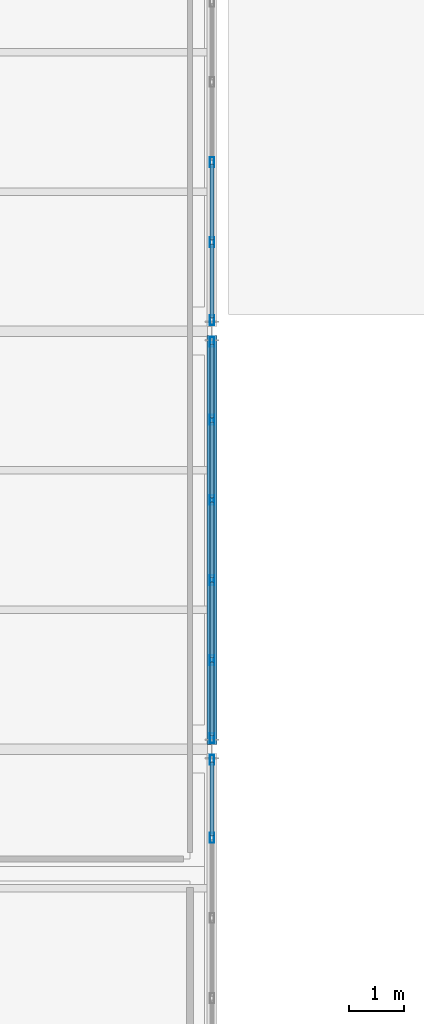
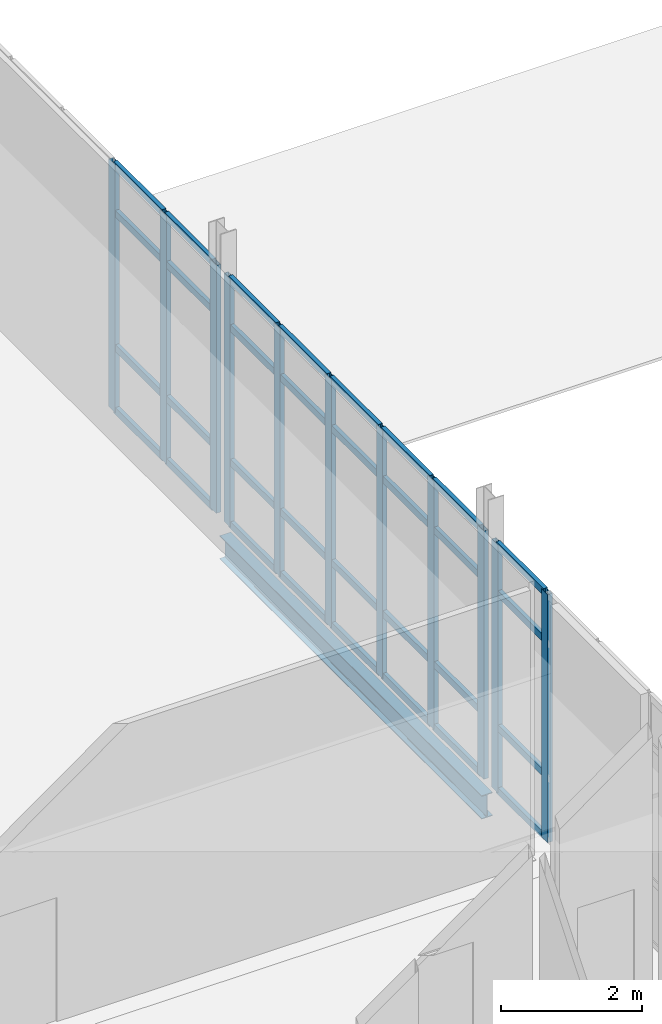
# One storey, part 73 of 161: 43 members, 1 beam, 3 elements without a shape of their own.
"""IFC4 building model written with IfcOpenShell, lengths in metres."""

from ifc_helpers import new_model, si_unit, direction, frame, origin, origin_2d, place, context, subcontext, project, spatial, hollow_rectangle, i_section, extrude, material, material_profile, profile_set, type_object, element, aggregate, save


model = new_model("IFC4")

# Units and contexts
model_context = context("Model", 3, precision=1e-05, world=origin(), true_north=direction((0.0, 1.0)))
body_context = subcontext(model_context, "Body", "Model", "MODEL_VIEW")
ifc_project = project(units=[si_unit("LENGTHUNIT", "METRE"), si_unit("AREAUNIT", "SQUARE_METRE"), si_unit("VOLUMEUNIT", "CUBIC_METRE"), si_unit("PLANEANGLEUNIT", "RADIAN"), si_unit("MASSUNIT", "GRAM", prefix="KILO")], contexts=[model_context])

# Site, building, storey
site_placement = place(None, origin())
site = spatial("IfcSite", under=ifc_project, at=site_placement, CompositionType="ELEMENT")
building_placement = place(site_placement, origin())
building = spatial("IfcBuilding", under=site, at=building_placement, Name="Caisbarro Railhouse Central Library", CompositionType="ELEMENT")
storey_placement = place(building_placement, origin())
storey = spatial("IfcBuildingStorey", under=building, at=storey_placement, Name="L00", CompositionType="ELEMENT", Elevation=0.0)

# Beam
ifc_material_1 = material(Name="Steel ASTM A572 Grade 50", Category="steel")
ifc_material_profile_1 = material_profile(ifc_material_1, i_section(OverallWidth=0.177978515625, OverallDepth=0.406982421875, WebThickness=0.0078125, FlangeThickness=0.0126953125, FilletRadius=0.01611328125, at=origin_2d()), Name="W410X60.0")
ifc_profile_set_1 = profile_set([ifc_material_profile_1], Name="Steel ASTM A572 Grade 50")
beam_type = type_object("IfcBeamType", Name="BM-G10", PredefinedType="BEAM", material=ifc_profile_set_1)
beam_placement = place(storey_placement, frame((36.0, 98.8798828125, -0.45361328125), z_axis=(0.0, 1.0, 0.0), x_axis=(-1.0, 0.0, 0.0)))
element("IfcBeam", 1, at=beam_placement, inside=storey, type_object=beam_type, Name="G10 beam L00 #419", PredefinedType="BEAM", context=body_context, shape_type="SweptSolid", body=[
    extrude(i_section(OverallWidth=0.177978515625, OverallDepth=0.406982421875, WebThickness=0.0078125, FlangeThickness=0.0126953125, FilletRadius=0.01611328125, at=origin_2d()), origin(), (0.0, 0.0, 1.0), 7.440185546875),
])

# Curtain wall, members
ifc_material_2 = material(Name="Anodised architectural aluminium", Category="aluminium")
curtain_wall_type = type_object("IfcCurtainWallType", Name="CW-CW02", PredefinedType="NOTDEFINED", material=ifc_material_2)
curtain_wall_1_placement = place(storey_placement, origin())
curtain_wall_1 = element("IfcCurtainWall", 2, at=curtain_wall_1_placement, inside=storey, type_object=curtain_wall_type, Name="CW02 curtain wall L00 #77", PredefinedType="NOTDEFINED")
ifc_material_profile_2 = material_profile(ifc_material_2, hollow_rectangle(XDim=0.074951171875, YDim=0.179931640625, WallThickness=0.00439453125, at=origin_2d()), Name="ALU-MUL-75X180")
ifc_profile_set_2 = profile_set([ifc_material_profile_2], Name="Anodised architectural aluminium")
member_type_1 = type_object("IfcMemberType", Name="CWM-M01", PredefinedType="MULLION", material=ifc_profile_set_2)
member_1_placement = place(storey_placement, frame((36.0, 97.18408203125, 0.0), z_axis=(0.0, 0.0, 1.0), x_axis=(-1.0, 0.0, 0.0)))
member_1 = element("IfcMember", 3, at=member_1_placement, type_object=member_type_1, Name="CW02 mullion 5", PredefinedType="MULLION", context=body_context, shape_type="SweptSolid", body=[
    extrude(hollow_rectangle(XDim=0.074951171875, YDim=0.179931640625, WallThickness=0.00439453125, at=origin_2d()), origin(), (0.0, 0.0, 1.0), 4.300048828125),
])
member_2_placement = place(storey_placement, frame((36.0, 98.6025390625, 0.0), z_axis=(0.0, 0.0, 1.0), x_axis=(-1.0, 0.0, 0.0)))
member_2 = element("IfcMember", 4, at=member_2_placement, type_object=member_type_1, Name="CW02 mullion 6", PredefinedType="MULLION", context=body_context, shape_type="SweptSolid", body=[
    extrude(hollow_rectangle(XDim=0.074951171875, YDim=0.179931640625, WallThickness=0.00439453125, at=origin_2d()), origin(), (0.0, 0.0, 1.0), 4.300048828125),
])

curtain_wall_2_placement = place(storey_placement, origin())
curtain_wall_2 = element("IfcCurtainWall", 5, at=curtain_wall_2_placement, inside=storey, type_object=curtain_wall_type, Name="CW02 curtain wall L00 #78", PredefinedType="NOTDEFINED")
member_3_placement = place(storey_placement, frame((36.0, 98.99755859375, 0.0), z_axis=(0.0, 0.0, 1.0), x_axis=(-1.0, 0.0, 0.0)))
member_3 = element("IfcMember", 6, at=member_3_placement, type_object=member_type_1, Name="CW02 mullion 1", PredefinedType="MULLION", context=body_context, shape_type="SweptSolid", body=[
    extrude(hollow_rectangle(XDim=0.074951171875, YDim=0.179931640625, WallThickness=0.00439453125, at=origin_2d()), origin(), (0.0, 0.0, 1.0), 4.300048828125),
])
member_4_placement = place(storey_placement, frame((36.0, 100.416015625, 0.0), z_axis=(0.0, 0.0, 1.0), x_axis=(-1.0, 0.0, 0.0)))
member_4 = element("IfcMember", 7, at=member_4_placement, type_object=member_type_1, Name="CW02 mullion 2", PredefinedType="MULLION", context=body_context, shape_type="SweptSolid", body=[
    extrude(hollow_rectangle(XDim=0.074951171875, YDim=0.179931640625, WallThickness=0.00439453125, at=origin_2d()), origin(), (0.0, 0.0, 1.0), 4.300048828125),
])
member_5_placement = place(storey_placement, frame((36.0, 101.8720703125, 0.0), z_axis=(0.0, 0.0, 1.0), x_axis=(-1.0, 0.0, 0.0)))
member_5 = element("IfcMember", 8, at=member_5_placement, type_object=member_type_1, Name="CW02 mullion 3", PredefinedType="MULLION", context=body_context, shape_type="SweptSolid", body=[
    extrude(hollow_rectangle(XDim=0.074951171875, YDim=0.179931640625, WallThickness=0.00439453125, at=origin_2d()), origin(), (0.0, 0.0, 1.0), 4.300048828125),
])
member_6_placement = place(storey_placement, frame((36.0, 103.327880859375, 0.0), z_axis=(0.0, 0.0, 1.0), x_axis=(-1.0, 0.0, 0.0)))
member_6 = element("IfcMember", 9, at=member_6_placement, type_object=member_type_1, Name="CW02 mullion 4", PredefinedType="MULLION", context=body_context, shape_type="SweptSolid", body=[
    extrude(hollow_rectangle(XDim=0.074951171875, YDim=0.179931640625, WallThickness=0.00439453125, at=origin_2d()), origin(), (0.0, 0.0, 1.0), 4.300048828125),
])
member_7_placement = place(storey_placement, frame((36.0, 104.783935546875, 0.0), z_axis=(0.0, 0.0, 1.0), x_axis=(-1.0, 0.0, 0.0)))
member_7 = element("IfcMember", 10, at=member_7_placement, type_object=member_type_1, Name="CW02 mullion 5", PredefinedType="MULLION", context=body_context, shape_type="SweptSolid", body=[
    extrude(hollow_rectangle(XDim=0.074951171875, YDim=0.179931640625, WallThickness=0.00439453125, at=origin_2d()), origin(), (0.0, 0.0, 1.0), 4.300048828125),
])
member_8_placement = place(storey_placement, frame((36.0, 106.202392578125, 0.0), z_axis=(0.0, 0.0, 1.0), x_axis=(-1.0, 0.0, 0.0)))
member_8 = element("IfcMember", 11, at=member_8_placement, type_object=member_type_1, Name="CW02 mullion 6", PredefinedType="MULLION", context=body_context, shape_type="SweptSolid", body=[
    extrude(hollow_rectangle(XDim=0.074951171875, YDim=0.179931640625, WallThickness=0.00439453125, at=origin_2d()), origin(), (0.0, 0.0, 1.0), 4.300048828125),
])

curtain_wall_3_placement = place(storey_placement, origin())
curtain_wall_3 = element("IfcCurtainWall", 12, at=curtain_wall_3_placement, inside=storey, type_object=curtain_wall_type, Name="CW02 curtain wall L00 #79", PredefinedType="NOTDEFINED")
member_9_placement = place(storey_placement, frame((36.0, 106.597412109375, 0.0), z_axis=(0.0, 0.0, 1.0), x_axis=(-1.0, 0.0, 0.0)))
member_9 = element("IfcMember", 13, at=member_9_placement, type_object=member_type_1, Name="CW02 mullion 1", PredefinedType="MULLION", context=body_context, shape_type="SweptSolid", body=[
    extrude(hollow_rectangle(XDim=0.074951171875, YDim=0.179931640625, WallThickness=0.00439453125, at=origin_2d()), origin(), (0.0, 0.0, 1.0), 4.300048828125),
])
member_10_placement = place(storey_placement, frame((36.0, 108.01611328125, 0.0), z_axis=(0.0, 0.0, 1.0), x_axis=(-1.0, 0.0, 0.0)))
member_10 = element("IfcMember", 14, at=member_10_placement, type_object=member_type_1, Name="CW02 mullion 2", PredefinedType="MULLION", context=body_context, shape_type="SweptSolid", body=[
    extrude(hollow_rectangle(XDim=0.074951171875, YDim=0.179931640625, WallThickness=0.00439453125, at=origin_2d()), origin(), (0.0, 0.0, 1.0), 4.300048828125),
])
member_11_placement = place(storey_placement, frame((36.0, 109.471923828125, 0.0), z_axis=(0.0, 0.0, 1.0), x_axis=(-1.0, 0.0, 0.0)))
member_11 = element("IfcMember", 15, at=member_11_placement, type_object=member_type_1, Name="CW02 mullion 3", PredefinedType="MULLION", context=body_context, shape_type="SweptSolid", body=[
    extrude(hollow_rectangle(XDim=0.074951171875, YDim=0.179931640625, WallThickness=0.00439453125, at=origin_2d()), origin(), (0.0, 0.0, 1.0), 4.300048828125),
])

# Member
ifc_material_profile_3 = material_profile(ifc_material_2, hollow_rectangle(XDim=0.06494140625, YDim=0.1201171875, WallThickness=0.00341796875, at=origin_2d()), Name="ALU-TRN-65X120")
ifc_profile_set_3 = profile_set([ifc_material_profile_3], Name="Anodised architectural aluminium")
member_type_2 = type_object("IfcMemberType", Name="CWT-T02", PredefinedType="USERDEFINED", material=ifc_profile_set_3)
member_12_placement = place(storey_placement, frame((36.0, 97.221435546875, 0.032470703125), z_axis=(0.0, 1.0, 0.0), x_axis=(-1.0, 0.0, 0.0)))
member_12 = element("IfcMember", 16, at=member_12_placement, type_object=member_type_2, Name="CW02 transom 5.1", ObjectType="TRANSOM", PredefinedType="USERDEFINED", context=body_context, shape_type="SweptSolid", body=[
    extrude(hollow_rectangle(XDim=0.06494140625, YDim=0.1201171875, WallThickness=0.00341796875, at=origin_2d()), origin(), (0.0, 0.0, 1.0), 1.343505859375),
])

member_13_placement = place(storey_placement, frame((36.0, 97.221435546875, 1.1201171875), z_axis=(0.0, 1.0, 0.0), x_axis=(-1.0, 0.0, 0.0)))
member_13 = element("IfcMember", 17, at=member_13_placement, type_object=member_type_2, Name="CW02 transom 5.2", ObjectType="TRANSOM", PredefinedType="USERDEFINED", context=body_context, shape_type="SweptSolid", body=[
    extrude(hollow_rectangle(XDim=0.06494140625, YDim=0.1201171875, WallThickness=0.00341796875, at=origin_2d()), origin(), (0.0, 0.0, 1.0), 1.343505859375),
])

member_14_placement = place(storey_placement, frame((36.0, 97.221435546875, 3.449951171875), z_axis=(0.0, 1.0, 0.0), x_axis=(-1.0, 0.0, 0.0)))
member_14 = element("IfcMember", 18, at=member_14_placement, type_object=member_type_2, Name="CW02 transom 5.3", ObjectType="TRANSOM", PredefinedType="USERDEFINED", context=body_context, shape_type="SweptSolid", body=[
    extrude(hollow_rectangle(XDim=0.06494140625, YDim=0.1201171875, WallThickness=0.00341796875, at=origin_2d()), origin(), (0.0, 0.0, 1.0), 1.343505859375),
])

member_15_placement = place(storey_placement, frame((36.0, 97.221435546875, 4.267578125), z_axis=(0.0, 1.0, 0.0), x_axis=(-1.0, 0.0, 0.0)))
member_15 = element("IfcMember", 19, at=member_15_placement, type_object=member_type_2, Name="CW02 transom 5.4", ObjectType="TRANSOM", PredefinedType="USERDEFINED", context=body_context, shape_type="SweptSolid", body=[
    extrude(hollow_rectangle(XDim=0.06494140625, YDim=0.1201171875, WallThickness=0.00341796875, at=origin_2d()), origin(), (0.0, 0.0, 1.0), 1.343505859375),
])

aggregate(curtain_wall_1, [member_1, member_2, member_12, member_13, member_14, member_15])

member_16_placement = place(storey_placement, frame((36.0, 99.034912109375, 0.032470703125), z_axis=(0.0, 1.0, 0.0), x_axis=(-1.0, 0.0, 0.0)))
member_16 = element("IfcMember", 20, at=member_16_placement, type_object=member_type_2, Name="CW02 transom 1.1", ObjectType="TRANSOM", PredefinedType="USERDEFINED", context=body_context, shape_type="SweptSolid", body=[
    extrude(hollow_rectangle(XDim=0.06494140625, YDim=0.1201171875, WallThickness=0.00341796875, at=origin_2d()), origin(), (0.0, 0.0, 1.0), 1.343505859375),
])

member_17_placement = place(storey_placement, frame((36.0, 99.034912109375, 1.1201171875), z_axis=(0.0, 1.0, 0.0), x_axis=(-1.0, 0.0, 0.0)))
member_17 = element("IfcMember", 21, at=member_17_placement, type_object=member_type_2, Name="CW02 transom 1.2", ObjectType="TRANSOM", PredefinedType="USERDEFINED", context=body_context, shape_type="SweptSolid", body=[
    extrude(hollow_rectangle(XDim=0.06494140625, YDim=0.1201171875, WallThickness=0.00341796875, at=origin_2d()), origin(), (0.0, 0.0, 1.0), 1.343505859375),
])

member_18_placement = place(storey_placement, frame((36.0, 99.034912109375, 3.449951171875), z_axis=(0.0, 1.0, 0.0), x_axis=(-1.0, 0.0, 0.0)))
member_18 = element("IfcMember", 22, at=member_18_placement, type_object=member_type_2, Name="CW02 transom 1.3", ObjectType="TRANSOM", PredefinedType="USERDEFINED", context=body_context, shape_type="SweptSolid", body=[
    extrude(hollow_rectangle(XDim=0.06494140625, YDim=0.1201171875, WallThickness=0.00341796875, at=origin_2d()), origin(), (0.0, 0.0, 1.0), 1.343505859375),
])

member_19_placement = place(storey_placement, frame((36.0, 99.034912109375, 4.267578125), z_axis=(0.0, 1.0, 0.0), x_axis=(-1.0, 0.0, 0.0)))
member_19 = element("IfcMember", 23, at=member_19_placement, type_object=member_type_2, Name="CW02 transom 1.4", ObjectType="TRANSOM", PredefinedType="USERDEFINED", context=body_context, shape_type="SweptSolid", body=[
    extrude(hollow_rectangle(XDim=0.06494140625, YDim=0.1201171875, WallThickness=0.00341796875, at=origin_2d()), origin(), (0.0, 0.0, 1.0), 1.343505859375),
])

member_20_placement = place(storey_placement, frame((36.0, 100.45361328125, 0.032470703125), z_axis=(0.0, 1.0, 0.0), x_axis=(-1.0, 0.0, 0.0)))
member_20 = element("IfcMember", 24, at=member_20_placement, type_object=member_type_2, Name="CW02 transom 2.1", ObjectType="TRANSOM", PredefinedType="USERDEFINED", context=body_context, shape_type="SweptSolid", body=[
    extrude(hollow_rectangle(XDim=0.06494140625, YDim=0.1201171875, WallThickness=0.00341796875, at=origin_2d()), origin(), (0.0, 0.0, 1.0), 1.380859375),
])

member_21_placement = place(storey_placement, frame((36.0, 100.45361328125, 1.1201171875), z_axis=(0.0, 1.0, 0.0), x_axis=(-1.0, 0.0, 0.0)))
member_21 = element("IfcMember", 25, at=member_21_placement, type_object=member_type_2, Name="CW02 transom 2.2", ObjectType="TRANSOM", PredefinedType="USERDEFINED", context=body_context, shape_type="SweptSolid", body=[
    extrude(hollow_rectangle(XDim=0.06494140625, YDim=0.1201171875, WallThickness=0.00341796875, at=origin_2d()), origin(), (0.0, 0.0, 1.0), 1.380859375),
])

member_22_placement = place(storey_placement, frame((36.0, 100.45361328125, 3.449951171875), z_axis=(0.0, 1.0, 0.0), x_axis=(-1.0, 0.0, 0.0)))
member_22 = element("IfcMember", 26, at=member_22_placement, type_object=member_type_2, Name="CW02 transom 2.3", ObjectType="TRANSOM", PredefinedType="USERDEFINED", context=body_context, shape_type="SweptSolid", body=[
    extrude(hollow_rectangle(XDim=0.06494140625, YDim=0.1201171875, WallThickness=0.00341796875, at=origin_2d()), origin(), (0.0, 0.0, 1.0), 1.380859375),
])

member_23_placement = place(storey_placement, frame((36.0, 100.45361328125, 4.267578125), z_axis=(0.0, 1.0, 0.0), x_axis=(-1.0, 0.0, 0.0)))
member_23 = element("IfcMember", 27, at=member_23_placement, type_object=member_type_2, Name="CW02 transom 2.4", ObjectType="TRANSOM", PredefinedType="USERDEFINED", context=body_context, shape_type="SweptSolid", body=[
    extrude(hollow_rectangle(XDim=0.06494140625, YDim=0.1201171875, WallThickness=0.00341796875, at=origin_2d()), origin(), (0.0, 0.0, 1.0), 1.380859375),
])

member_24_placement = place(storey_placement, frame((36.0, 101.909423828125, 0.032470703125), z_axis=(0.0, 1.0, 0.0), x_axis=(-1.0, 0.0, 0.0)))
member_24 = element("IfcMember", 28, at=member_24_placement, type_object=member_type_2, Name="CW02 transom 3.1", ObjectType="TRANSOM", PredefinedType="USERDEFINED", context=body_context, shape_type="SweptSolid", body=[
    extrude(hollow_rectangle(XDim=0.06494140625, YDim=0.1201171875, WallThickness=0.00341796875, at=origin_2d()), origin(), (0.0, 0.0, 1.0), 1.381103515625),
])

member_25_placement = place(storey_placement, frame((36.0, 101.909423828125, 1.1201171875), z_axis=(0.0, 1.0, 0.0), x_axis=(-1.0, 0.0, 0.0)))
member_25 = element("IfcMember", 29, at=member_25_placement, type_object=member_type_2, Name="CW02 transom 3.2", ObjectType="TRANSOM", PredefinedType="USERDEFINED", context=body_context, shape_type="SweptSolid", body=[
    extrude(hollow_rectangle(XDim=0.06494140625, YDim=0.1201171875, WallThickness=0.00341796875, at=origin_2d()), origin(), (0.0, 0.0, 1.0), 1.381103515625),
])

member_26_placement = place(storey_placement, frame((36.0, 101.909423828125, 3.449951171875), z_axis=(0.0, 1.0, 0.0), x_axis=(-1.0, 0.0, 0.0)))
member_26 = element("IfcMember", 30, at=member_26_placement, type_object=member_type_2, Name="CW02 transom 3.3", ObjectType="TRANSOM", PredefinedType="USERDEFINED", context=body_context, shape_type="SweptSolid", body=[
    extrude(hollow_rectangle(XDim=0.06494140625, YDim=0.1201171875, WallThickness=0.00341796875, at=origin_2d()), origin(), (0.0, 0.0, 1.0), 1.381103515625),
])

member_27_placement = place(storey_placement, frame((36.0, 101.909423828125, 4.267578125), z_axis=(0.0, 1.0, 0.0), x_axis=(-1.0, 0.0, 0.0)))
member_27 = element("IfcMember", 31, at=member_27_placement, type_object=member_type_2, Name="CW02 transom 3.4", ObjectType="TRANSOM", PredefinedType="USERDEFINED", context=body_context, shape_type="SweptSolid", body=[
    extrude(hollow_rectangle(XDim=0.06494140625, YDim=0.1201171875, WallThickness=0.00341796875, at=origin_2d()), origin(), (0.0, 0.0, 1.0), 1.381103515625),
])

member_28_placement = place(storey_placement, frame((36.0, 103.365478515625, 0.032470703125), z_axis=(0.0, 1.0, 0.0), x_axis=(-1.0, 0.0, 0.0)))
member_28 = element("IfcMember", 32, at=member_28_placement, type_object=member_type_2, Name="CW02 transom 4.1", ObjectType="TRANSOM", PredefinedType="USERDEFINED", context=body_context, shape_type="SweptSolid", body=[
    extrude(hollow_rectangle(XDim=0.06494140625, YDim=0.1201171875, WallThickness=0.00341796875, at=origin_2d()), origin(), (0.0, 0.0, 1.0), 1.381103515625),
])

member_29_placement = place(storey_placement, frame((36.0, 103.365478515625, 1.1201171875), z_axis=(0.0, 1.0, 0.0), x_axis=(-1.0, 0.0, 0.0)))
member_29 = element("IfcMember", 33, at=member_29_placement, type_object=member_type_2, Name="CW02 transom 4.2", ObjectType="TRANSOM", PredefinedType="USERDEFINED", context=body_context, shape_type="SweptSolid", body=[
    extrude(hollow_rectangle(XDim=0.06494140625, YDim=0.1201171875, WallThickness=0.00341796875, at=origin_2d()), origin(), (0.0, 0.0, 1.0), 1.381103515625),
])

member_30_placement = place(storey_placement, frame((36.0, 103.365478515625, 3.449951171875), z_axis=(0.0, 1.0, 0.0), x_axis=(-1.0, 0.0, 0.0)))
member_30 = element("IfcMember", 34, at=member_30_placement, type_object=member_type_2, Name="CW02 transom 4.3", ObjectType="TRANSOM", PredefinedType="USERDEFINED", context=body_context, shape_type="SweptSolid", body=[
    extrude(hollow_rectangle(XDim=0.06494140625, YDim=0.1201171875, WallThickness=0.00341796875, at=origin_2d()), origin(), (0.0, 0.0, 1.0), 1.381103515625),
])

member_31_placement = place(storey_placement, frame((36.0, 103.365478515625, 4.267578125), z_axis=(0.0, 1.0, 0.0), x_axis=(-1.0, 0.0, 0.0)))
member_31 = element("IfcMember", 35, at=member_31_placement, type_object=member_type_2, Name="CW02 transom 4.4", ObjectType="TRANSOM", PredefinedType="USERDEFINED", context=body_context, shape_type="SweptSolid", body=[
    extrude(hollow_rectangle(XDim=0.06494140625, YDim=0.1201171875, WallThickness=0.00341796875, at=origin_2d()), origin(), (0.0, 0.0, 1.0), 1.381103515625),
])

member_32_placement = place(storey_placement, frame((36.0, 104.821533203125, 0.032470703125), z_axis=(0.0, 1.0, 0.0), x_axis=(-1.0, 0.0, 0.0)))
member_32 = element("IfcMember", 36, at=member_32_placement, type_object=member_type_2, Name="CW02 transom 5.1", ObjectType="TRANSOM", PredefinedType="USERDEFINED", context=body_context, shape_type="SweptSolid", body=[
    extrude(hollow_rectangle(XDim=0.06494140625, YDim=0.1201171875, WallThickness=0.00341796875, at=origin_2d()), origin(), (0.0, 0.0, 1.0), 1.343505859375),
])

member_33_placement = place(storey_placement, frame((36.0, 104.821533203125, 1.1201171875), z_axis=(0.0, 1.0, 0.0), x_axis=(-1.0, 0.0, 0.0)))
member_33 = element("IfcMember", 37, at=member_33_placement, type_object=member_type_2, Name="CW02 transom 5.2", ObjectType="TRANSOM", PredefinedType="USERDEFINED", context=body_context, shape_type="SweptSolid", body=[
    extrude(hollow_rectangle(XDim=0.06494140625, YDim=0.1201171875, WallThickness=0.00341796875, at=origin_2d()), origin(), (0.0, 0.0, 1.0), 1.343505859375),
])

member_34_placement = place(storey_placement, frame((36.0, 104.821533203125, 3.449951171875), z_axis=(0.0, 1.0, 0.0), x_axis=(-1.0, 0.0, 0.0)))
member_34 = element("IfcMember", 38, at=member_34_placement, type_object=member_type_2, Name="CW02 transom 5.3", ObjectType="TRANSOM", PredefinedType="USERDEFINED", context=body_context, shape_type="SweptSolid", body=[
    extrude(hollow_rectangle(XDim=0.06494140625, YDim=0.1201171875, WallThickness=0.00341796875, at=origin_2d()), origin(), (0.0, 0.0, 1.0), 1.343505859375),
])

member_35_placement = place(storey_placement, frame((36.0, 104.821533203125, 4.267578125), z_axis=(0.0, 1.0, 0.0), x_axis=(-1.0, 0.0, 0.0)))
member_35 = element("IfcMember", 39, at=member_35_placement, type_object=member_type_2, Name="CW02 transom 5.4", ObjectType="TRANSOM", PredefinedType="USERDEFINED", context=body_context, shape_type="SweptSolid", body=[
    extrude(hollow_rectangle(XDim=0.06494140625, YDim=0.1201171875, WallThickness=0.00341796875, at=origin_2d()), origin(), (0.0, 0.0, 1.0), 1.343505859375),
])

aggregate(curtain_wall_2, [member_3, member_4, member_5, member_6, member_7, member_8, member_16, member_17, member_18, member_19, member_20, member_21, member_22, member_23, member_24, member_25, member_26, member_27, member_28, member_29, member_30, member_31, member_32, member_33, member_34, member_35])

member_36_placement = place(storey_placement, frame((36.0, 106.635009765625, 0.032470703125), z_axis=(0.0, 1.0, 0.0), x_axis=(-1.0, 0.0, 0.0)))
member_36 = element("IfcMember", 40, at=member_36_placement, type_object=member_type_2, Name="CW02 transom 1.1", ObjectType="TRANSOM", PredefinedType="USERDEFINED", context=body_context, shape_type="SweptSolid", body=[
    extrude(hollow_rectangle(XDim=0.06494140625, YDim=0.1201171875, WallThickness=0.00341796875, at=origin_2d()), origin(), (0.0, 0.0, 1.0), 1.343505859375),
])

member_37_placement = place(storey_placement, frame((36.0, 106.635009765625, 1.1201171875), z_axis=(0.0, 1.0, 0.0), x_axis=(-1.0, 0.0, 0.0)))
member_37 = element("IfcMember", 41, at=member_37_placement, type_object=member_type_2, Name="CW02 transom 1.2", ObjectType="TRANSOM", PredefinedType="USERDEFINED", context=body_context, shape_type="SweptSolid", body=[
    extrude(hollow_rectangle(XDim=0.06494140625, YDim=0.1201171875, WallThickness=0.00341796875, at=origin_2d()), origin(), (0.0, 0.0, 1.0), 1.343505859375),
])

member_38_placement = place(storey_placement, frame((36.0, 106.635009765625, 3.449951171875), z_axis=(0.0, 1.0, 0.0), x_axis=(-1.0, 0.0, 0.0)))
member_38 = element("IfcMember", 42, at=member_38_placement, type_object=member_type_2, Name="CW02 transom 1.3", ObjectType="TRANSOM", PredefinedType="USERDEFINED", context=body_context, shape_type="SweptSolid", body=[
    extrude(hollow_rectangle(XDim=0.06494140625, YDim=0.1201171875, WallThickness=0.00341796875, at=origin_2d()), origin(), (0.0, 0.0, 1.0), 1.343505859375),
])

member_39_placement = place(storey_placement, frame((36.0, 106.635009765625, 4.267578125), z_axis=(0.0, 1.0, 0.0), x_axis=(-1.0, 0.0, 0.0)))
member_39 = element("IfcMember", 43, at=member_39_placement, type_object=member_type_2, Name="CW02 transom 1.4", ObjectType="TRANSOM", PredefinedType="USERDEFINED", context=body_context, shape_type="SweptSolid", body=[
    extrude(hollow_rectangle(XDim=0.06494140625, YDim=0.1201171875, WallThickness=0.00341796875, at=origin_2d()), origin(), (0.0, 0.0, 1.0), 1.343505859375),
])

member_40_placement = place(storey_placement, frame((36.0, 108.053466796875, 0.032470703125), z_axis=(0.0, 1.0, 0.0), x_axis=(-1.0, 0.0, 0.0)))
member_40 = element("IfcMember", 44, at=member_40_placement, type_object=member_type_2, Name="CW02 transom 2.1", ObjectType="TRANSOM", PredefinedType="USERDEFINED", context=body_context, shape_type="SweptSolid", body=[
    extrude(hollow_rectangle(XDim=0.06494140625, YDim=0.1201171875, WallThickness=0.00341796875, at=origin_2d()), origin(), (0.0, 0.0, 1.0), 1.381103515625),
])

member_41_placement = place(storey_placement, frame((36.0, 108.053466796875, 1.1201171875), z_axis=(0.0, 1.0, 0.0), x_axis=(-1.0, 0.0, 0.0)))
member_41 = element("IfcMember", 45, at=member_41_placement, type_object=member_type_2, Name="CW02 transom 2.2", ObjectType="TRANSOM", PredefinedType="USERDEFINED", context=body_context, shape_type="SweptSolid", body=[
    extrude(hollow_rectangle(XDim=0.06494140625, YDim=0.1201171875, WallThickness=0.00341796875, at=origin_2d()), origin(), (0.0, 0.0, 1.0), 1.381103515625),
])

member_42_placement = place(storey_placement, frame((36.0, 108.053466796875, 3.449951171875), z_axis=(0.0, 1.0, 0.0), x_axis=(-1.0, 0.0, 0.0)))
member_42 = element("IfcMember", 46, at=member_42_placement, type_object=member_type_2, Name="CW02 transom 2.3", ObjectType="TRANSOM", PredefinedType="USERDEFINED", context=body_context, shape_type="SweptSolid", body=[
    extrude(hollow_rectangle(XDim=0.06494140625, YDim=0.1201171875, WallThickness=0.00341796875, at=origin_2d()), origin(), (0.0, 0.0, 1.0), 1.381103515625),
])

member_43_placement = place(storey_placement, frame((36.0, 108.053466796875, 4.267578125), z_axis=(0.0, 1.0, 0.0), x_axis=(-1.0, 0.0, 0.0)))
member_43 = element("IfcMember", 47, at=member_43_placement, type_object=member_type_2, Name="CW02 transom 2.4", ObjectType="TRANSOM", PredefinedType="USERDEFINED", context=body_context, shape_type="SweptSolid", body=[
    extrude(hollow_rectangle(XDim=0.06494140625, YDim=0.1201171875, WallThickness=0.00341796875, at=origin_2d()), origin(), (0.0, 0.0, 1.0), 1.381103515625),
])

aggregate(curtain_wall_3, [member_9, member_10, member_11, member_36, member_37, member_38, member_39, member_40, member_41, member_42, member_43])

save(model, "model.ifc")
